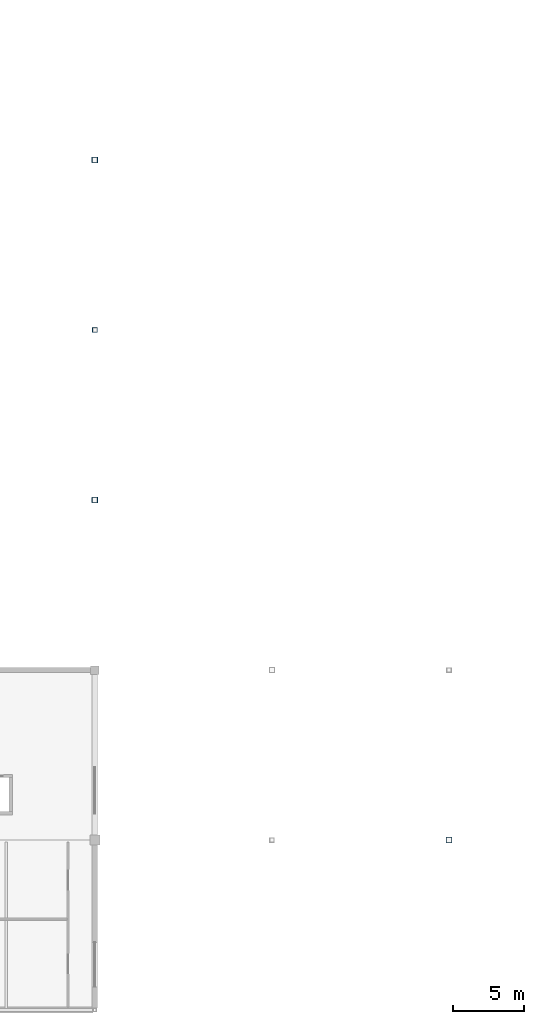
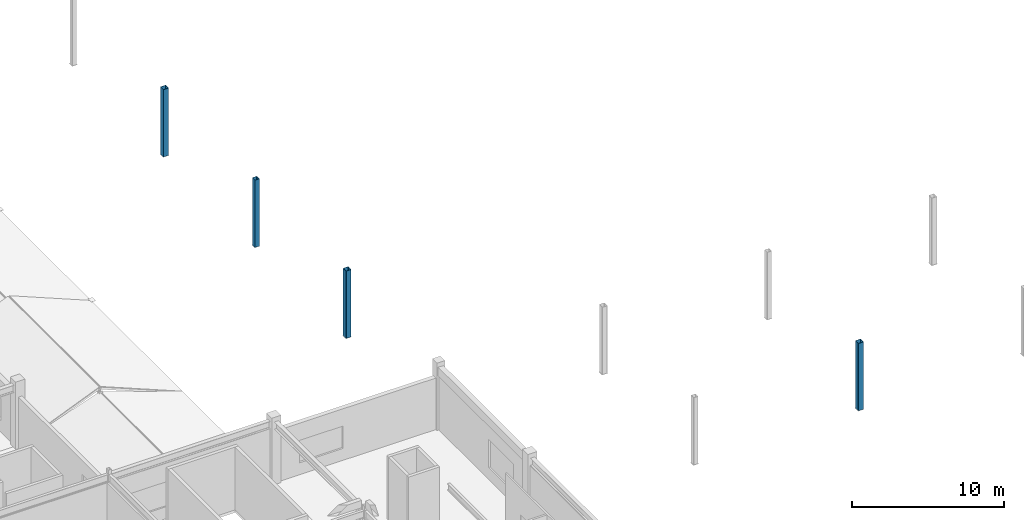
# One storey, part 4 of 76: 4 columns.
"""IFC4 building model written with IfcOpenShell, lengths in metres."""

from ifc_helpers import new_model, si_unit, direction, frame, origin, origin_2d, place, context, subcontext, project, spatial, hollow_rectangle, extrude, material, material_profile, profile_set, type_object, element, save


model = new_model("IFC4")

# Units and contexts
model_context = context("Model", 3, precision=1e-05, world=origin(), true_north=direction((0.0, 1.0)))
body_context = subcontext(model_context, "Body", "Model", "MODEL_VIEW")
ifc_project = project(units=[si_unit("LENGTHUNIT", "METRE"), si_unit("AREAUNIT", "SQUARE_METRE"), si_unit("VOLUMEUNIT", "CUBIC_METRE"), si_unit("PLANEANGLEUNIT", "RADIAN"), si_unit("MASSUNIT", "GRAM", prefix="KILO")], contexts=[model_context])

# Site, building, storey
site_placement = place(None, origin())
site = spatial("IfcSite", under=ifc_project, at=site_placement, CompositionType="ELEMENT")
building_placement = place(site_placement, origin())
building = spatial("IfcBuilding", under=site, at=building_placement, Name="Kazenohara Klinker Stadium", CompositionType="ELEMENT")
storey_placement = place(building_placement, frame((0.0, 0.0, 25.800048828125)))
storey = spatial("IfcBuildingStorey", under=building, at=storey_placement, Name="L05", CompositionType="ELEMENT", Elevation=25.800048828125)

# Columns
ifc_material = material(Name="Steel S355", Category="steel")
ifc_material_profile_1 = material_profile(ifc_material, hollow_rectangle(XDim=0.39990234375, YDim=0.39990234375, WallThickness=0.01611328125, InnerFilletRadius=0.01611328125, OuterFilletRadius=0.031982421875, at=origin_2d()), Name="SHS-400x400x16")
ifc_profile_set_1 = profile_set([ifc_material_profile_1], Name="Steel S355")
column_type_1 = type_object("IfcColumnType", Name="COL-ST01", PredefinedType="COLUMN", material=ifc_profile_set_1)
for number, where, z_axis, x_axis, name in (
    (1, (49.0, 48.0, 0.0), (0.0, 0.0, 1.0), (1.0, 0.0, 0.0), "Canopy ring support column SC01 L05 5/E"),
    (2, (49.0, 72.0, 0.0), (0.0, 0.0, 1.0), (1.0, 0.0, 0.0), "Canopy ring support column SC01 L05 5/G"),
    (3, (74.0, 24.0, 0.0), (0.0, 0.0, 1.0), (1.0, 0.0, 0.0), "Canopy ring support column SC01 L05 7/C"),
):
    element("IfcColumn", number, at=place(storey_placement, frame(where, z_axis=z_axis, x_axis=x_axis)), inside=storey, type_object=column_type_1, Name=name, PredefinedType="COLUMN", context=body_context, shape_type="SweptSolid", body=[
        extrude(hollow_rectangle(XDim=0.39990234375, YDim=0.39990234375, WallThickness=0.01611328125, InnerFilletRadius=0.01611328125, OuterFilletRadius=0.031982421875, at=origin_2d()), origin(), (0.0, 0.0, 1.0), 5.39990234375),
    ])
ifc_material_profile_2 = material_profile(ifc_material, hollow_rectangle(XDim=0.35009765625, YDim=0.35009765625, WallThickness=0.01611328125, InnerFilletRadius=0.01611328125, OuterFilletRadius=0.031982421875, at=origin_2d()), Name="SHS-350x350x16")
ifc_profile_set_2 = profile_set([ifc_material_profile_2], Name="Steel S355")
column_type_2 = type_object("IfcColumnType", Name="COL-ST02", PredefinedType="COLUMN", material=ifc_profile_set_2)
column_placement = place(storey_placement, frame((49.0, 60.0, 0.0), z_axis=(0.0, 0.0, 1.0), x_axis=(1.0, 0.0, 0.0)))
element("IfcColumn", 4, at=column_placement, inside=storey, type_object=column_type_2, Name="Canopy ring support column SC02 L05 5/F", PredefinedType="COLUMN", context=body_context, shape_type="SweptSolid", body=[
    extrude(hollow_rectangle(XDim=0.35009765625, YDim=0.35009765625, WallThickness=0.01611328125, InnerFilletRadius=0.01611328125, OuterFilletRadius=0.031982421875, at=origin_2d()), origin(), (0.0, 0.0, 1.0), 5.39990234375),
])

save(model, "model.ifc")
